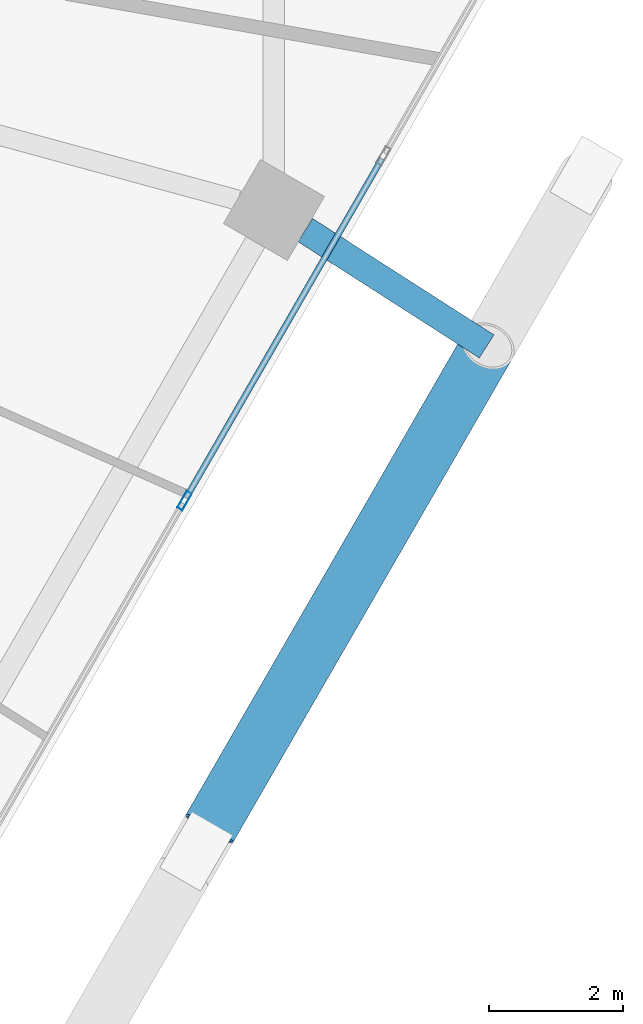
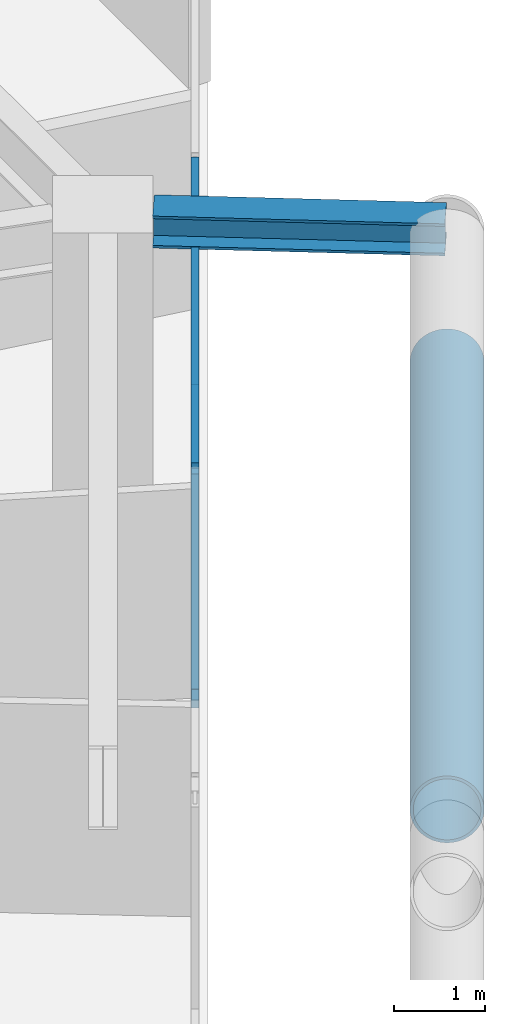
# One storey, part 12 of 35: 4 members, 1 beam, 1 element without a shape of its own.
"""IFC4 building model written with IfcOpenShell, lengths in metres."""

from ifc_helpers import new_model, si_unit, direction, frame, origin, origin_2d, place, context, subcontext, project, spatial, hollow_rectangle, hollow_circle, i_section, extrude, material, material_profile, profile_set, type_object, element, aggregate, save


model = new_model("IFC4")

# Units and contexts
model_context = context("Model", 3, precision=1e-05, world=origin(), true_north=direction((0.0, 1.0)))
body_context = subcontext(model_context, "Body", "Model", "MODEL_VIEW")
ifc_project = project(units=[si_unit("LENGTHUNIT", "METRE"), si_unit("AREAUNIT", "SQUARE_METRE"), si_unit("VOLUMEUNIT", "CUBIC_METRE"), si_unit("PLANEANGLEUNIT", "RADIAN"), si_unit("MASSUNIT", "GRAM", prefix="KILO")], contexts=[model_context])

# Site, building, storey
site_placement = place(None, origin())
site = spatial("IfcSite", under=ifc_project, at=site_placement, CompositionType="ELEMENT")
building_placement = place(site_placement, origin())
building = spatial("IfcBuilding", under=site, at=building_placement, Name="Zuhravey Tower", CompositionType="ELEMENT")
storey_placement = place(building_placement, frame((0.0, 0.0, 138.0)))
storey = spatial("IfcBuildingStorey", under=building, at=storey_placement, Name="L34", CompositionType="ELEMENT", Elevation=138.0)

# Curtain wall, members
ifc_material_1 = material(Name="Thermally broken anodised aluminium", Category="aluminium")
curtain_wall_type = type_object("IfcCurtainWallType", Name="Zone 1-2 Residential Curtain Wall CW3", PredefinedType="NOTDEFINED", material=ifc_material_1)
curtain_wall_placement = place(storey_placement, origin())
curtain_wall = element("IfcCurtainWall", 1, at=curtain_wall_placement, inside=storey, type_object=curtain_wall_type, Name="L34 CW3 CW-L34-F6-1", PredefinedType="NOTDEFINED")
ifc_material_2 = material(Name="Anodised aluminium", Category="aluminium")
ifc_material_profile_1 = material_profile(ifc_material_2, hollow_rectangle(XDim=0.090087890625, YDim=0.284912109375, WallThickness=0.0048828125, at=origin_2d()), Name="ALU-RHS-90x285x5")
ifc_profile_set_1 = profile_set([ifc_material_profile_1], Name="Anodised aluminium")
member_type_1 = type_object("IfcMemberType", Name="Curtain-Wall Mullion 90x180", PredefinedType="MULLION", material=ifc_profile_set_1)
member_1_placement = place(storey_placement, frame((62.55859375, 20.083984375, 0.0), z_axis=(0.0, 0.0, 1.0), x_axis=(0.86602552265, -0.499999794119, 0.0)))
member_1 = element("IfcMember", 2, at=member_1_placement, type_object=member_type_1, Name="CW3 mullion 3", PredefinedType="MULLION", context=body_context, shape_type="SweptSolid", body=[
    extrude(hollow_rectangle(XDim=0.090087890625, YDim=0.284912109375, WallThickness=0.0048828125, at=origin_2d()), origin(), (0.0, 0.0, 1.0), 3.1220703125),
])
ifc_material_profile_2 = material_profile(ifc_material_2, hollow_rectangle(XDim=0.090087890625, YDim=0.14990234375, WallThickness=0.0048828125, at=origin_2d()), Name="ALU-RHS-90x150x5")
ifc_profile_set_2 = profile_set([ifc_material_profile_2], Name="Anodised aluminium")
member_type_2 = type_object("IfcMemberType", Name="Curtain-Wall Transom 90x150", PredefinedType="USERDEFINED", material=ifc_profile_set_2)
member_2_placement = place(storey_placement, frame((65.49609375, 25.171875, 0.044921875), z_axis=(-0.499981042766, -0.866036348472, 0.0), x_axis=(0.866036348472, -0.499981042766, 0.0)))
member_2 = element("IfcMember", 3, at=member_2_placement, type_object=member_type_2, Name="CW3 transom 2.1", ObjectType="TRANSOM", PredefinedType="USERDEFINED", context=body_context, shape_type="SweptSolid", body=[
    extrude(hollow_rectangle(XDim=0.090087890625, YDim=0.14990234375, WallThickness=0.0048828125, at=origin_2d()), origin(), (0.0, 0.0, 1.0), 5.829833984375),
])
member_3_placement = place(storey_placement, frame((65.49609375, 25.171875, 3.076904296875), z_axis=(-0.499981042766, -0.866036348472, 0.0), x_axis=(0.866036348472, -0.499981042766, 0.0)))
member_3 = element("IfcMember", 4, at=member_3_placement, type_object=member_type_2, Name="CW3 transom 2.2", ObjectType="TRANSOM", PredefinedType="USERDEFINED", context=body_context, shape_type="SweptSolid", body=[
    extrude(hollow_rectangle(XDim=0.090087890625, YDim=0.14990234375, WallThickness=0.0048828125, at=origin_2d()), origin(), (0.0, 0.0, 1.0), 5.829833984375),
])
aggregate(curtain_wall, [member_1, member_2, member_3])

# Beam
ifc_material_3 = material(Name="Steel SM460", Category="steel")
ifc_material_profile_3 = material_profile(ifc_material_3, i_section(OverallWidth=0.406982421875, OverallDepth=0.427978515625, WebThickness=0.02001953125, FlangeThickness=0.034912109375, at=origin_2d()), Name="H-428x407x20x35")
ifc_profile_set_3 = profile_set([ifc_material_profile_3], Name="Steel SM460")
beam_type = type_object("IfcBeamType", Name="Exoskeleton Node Tie Beam H428x407", PredefinedType="BEAM", material=ifc_profile_set_3)
beam_placement = place(storey_placement, frame((64.35595703125, 24.10888671875, 3.3359375), z_axis=(0.841742425164, -0.539879328812, 0.0), x_axis=(0.539879328812, 0.841742425164, 0.0)))
element("IfcBeam", 5, at=beam_placement, inside=storey, type_object=beam_type, Name="L34 Exoskeleton Node Tie NT1-12", PredefinedType="BEAM", context=body_context, shape_type="SweptSolid", body=[
    extrude(i_section(OverallWidth=0.406982421875, OverallDepth=0.427978515625, WebThickness=0.02001953125, FlangeThickness=0.034912109375, at=origin_2d()), origin(), (0.0, 0.0, 1.0), 3.204345703125),
])

# Member
ifc_material_profile_4 = material_profile(ifc_material_3, hollow_circle(Radius=0.406494140625, WallThickness=0.035888671875, at=origin_2d()), Name="CHS-812.8x36")
ifc_profile_set_4 = profile_set([ifc_material_profile_4], Name="Steel SM460")
member_type_3 = type_object("IfcMemberType", Name="Exoskeleton Zone 1 Diagrid CHS813x36", PredefinedType="BRACE", material=ifc_profile_set_4)
member_4_placement = place(storey_placement, frame((68.501220703125, 24.85693359375, -0.4521484375), z_axis=(-0.493427151692, -0.854655432345, 0.161535562454), x_axis=(0.866029086066, -0.499993622047, 0.0)))
element("IfcMember", 6, at=member_4_placement, inside=storey, type_object=member_type_3, Name="L34 Face 6 Split Diagrid Brace 3A", PredefinedType="BRACE", context=body_context, shape_type="SweptSolid", body=[
    extrude(hollow_circle(Radius=0.406494140625, WallThickness=0.035888671875, at=origin_2d()), origin(), (0.0, 0.0, 1.0), 11.29296875),
])

save(model, "model.ifc")
